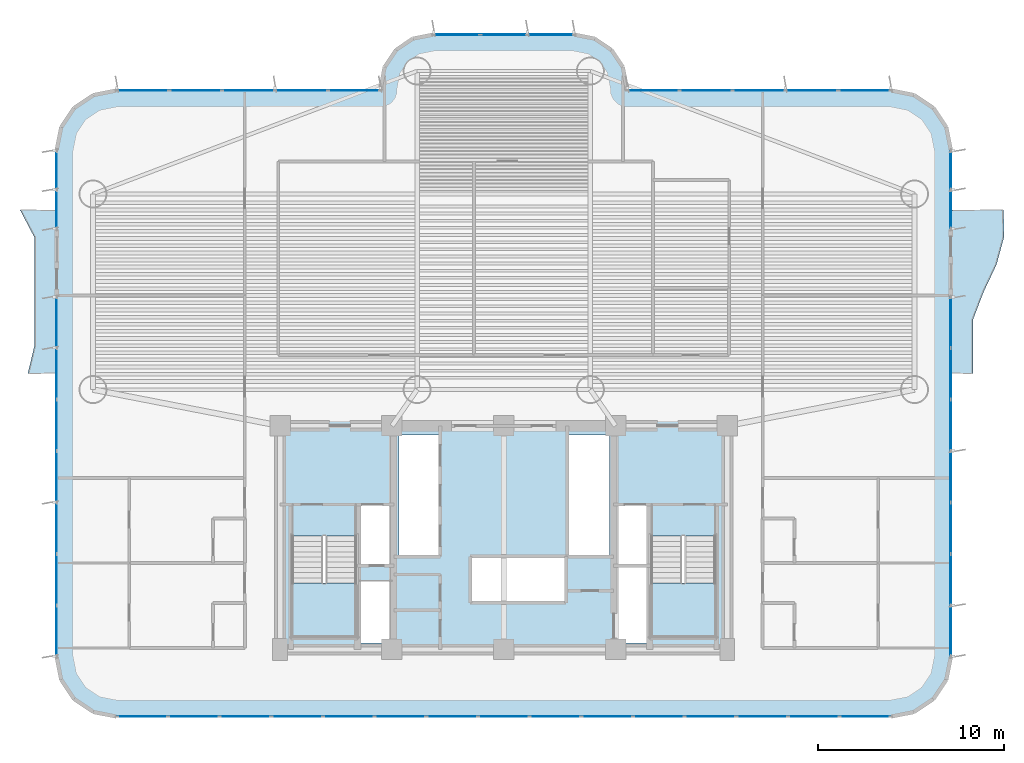
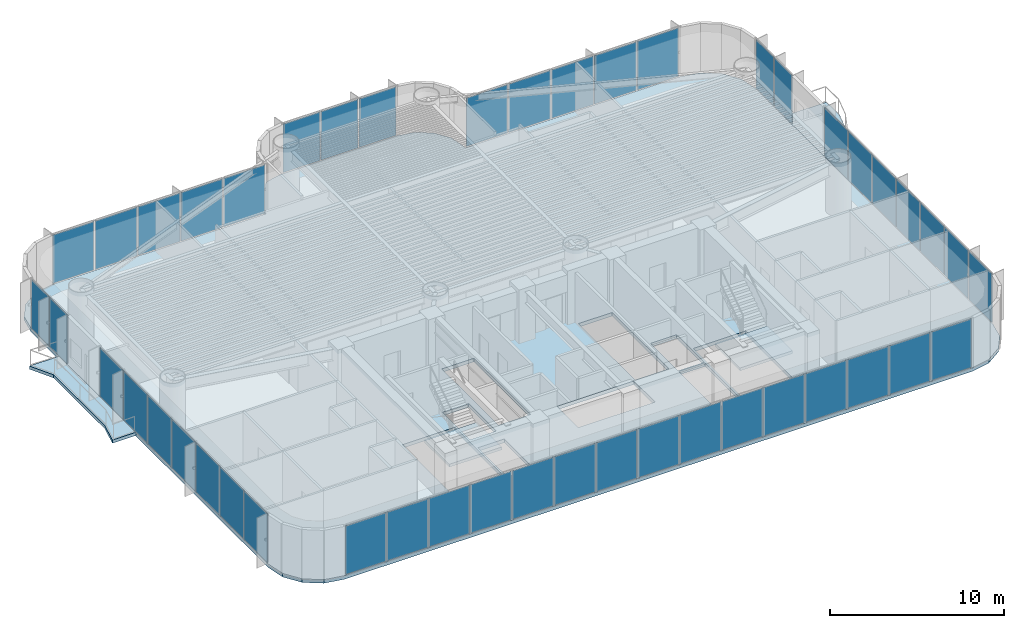
# One storey, part 9 of 17: 46 plates, 5 slabs, 10 elements without a shape of their own.
"""IFC4 building model written with IfcOpenShell, lengths in metres."""

from ifc_helpers import new_model, si_unit, direction, frame, origin, origin_2d, place, context, subcontext, project, spatial, polyline, rectangle, outline, extrude, source, transform, mapped, material, layer, layer_set, type_object, element, aggregate, save


model = new_model("IFC4")

# Units and contexts
model_context = context("Model", 3, precision=1e-05, world=origin(), true_north=direction((0.0, 1.0)))
body_context = subcontext(model_context, "Body", "Model", "MODEL_VIEW")
ifc_project = project(units=[si_unit("LENGTHUNIT", "METRE"), si_unit("AREAUNIT", "SQUARE_METRE"), si_unit("VOLUMEUNIT", "CUBIC_METRE"), si_unit("PLANEANGLEUNIT", "RADIAN"), si_unit("MASSUNIT", "GRAM", prefix="KILO")], contexts=[model_context])

# Site, building, storey
site_placement = place(None, origin())
site = spatial("IfcSite", under=ifc_project, at=site_placement, CompositionType="ELEMENT")
building_placement = place(site_placement, origin())
building = spatial("IfcBuilding", under=site, at=building_placement, Name="Brelvock Crest Care Tower", CompositionType="ELEMENT")
storey_placement = place(building_placement, frame((0.0, 0.0, 45.89990234375)))
storey = spatial("IfcBuildingStorey", under=building, at=storey_placement, Name="L11", CompositionType="ELEMENT", Elevation=45.89990234375)

# Slabs
ifc_material_1 = material(Name="Concrete N50 (50 MPa)", Category="concrete")
ifc_layer_1 = layer(ifc_material_1, 0.22998046875, Name="SLB-FL4")
ifc_layer_set_1 = layer_set([ifc_layer_1], Name="Concrete N50 (50 MPa)")
slab_type_1 = type_object("IfcSlabType", Name="SLB-FL4", PredefinedType="FLOOR", material=ifc_layer_set_1)
slab_1_placement = place(storey_placement, frame((0.0, 0.0, -0.25)))
element("IfcSlab", 1, at=slab_1_placement, inside=storey, type_object=slab_type_1, Name="L11 Main Structural Slab", PredefinedType="FLOOR", context=body_context, shape_type="SweptSolid", body=[
    extrude(outline(polyline([(56.800048828125, 36.0), (42.60009765625, 36.0), (42.60009765625, 36.199951171875), (42.386962890625, 37.271484375), (41.77978515625, 38.179931640625), (40.87158203125, 38.786865234375), (39.800048828125, 39.0), (32.199951171875, 39.0), (31.12841796875, 38.786865234375), (30.22021484375, 38.179931640625), (29.613037109375, 37.271484375), (29.39990234375, 36.199951171875), (29.39990234375, 36.0), (15.199951171875, 36.0), (13.975341796875, 35.75634765625), (12.937255859375, 35.062744140625), (12.24365234375, 34.024658203125), (12.0, 32.800048828125), (12.0, 5.60009765625), (12.24365234375, 4.37548828125), (12.937255859375, 3.33740234375), (13.975341796875, 2.6435546875), (15.199951171875, 2.39990234375), (56.800048828125, 2.39990234375), (58.024658203125, 2.6435546875), (59.062744140625, 3.33740234375), (59.75634765625, 4.37548828125), (60.0, 5.60009765625), (60.0, 32.800048828125), (59.75634765625, 34.024658203125), (59.062744140625, 35.062744140625), (58.024658203125, 35.75634765625), (56.800048828125, 36.0)]), holes=[polyline([(28.239990234375, 10.580078125), (29.97998046875, 10.580078125), (29.97998046875, 13.739990234375), (28.239990234375, 13.739990234375), (28.239990234375, 10.580078125)]), polyline([(42.02001953125, 10.580078125), (43.760009765625, 10.580078125), (43.760009765625, 13.739990234375), (42.02001953125, 13.739990234375), (42.02001953125, 10.580078125)]), polyline([(28.239990234375, 6.340087890625), (29.97998046875, 6.340087890625), (29.97998046875, 9.64990234375), (28.239990234375, 9.64990234375), (28.239990234375, 6.340087890625)]), polyline([(24.6298828125, 12.080078125), (24.6298828125, 6.699951171875), (28.110107421875, 6.699951171875), (28.110107421875, 12.080078125), (24.6298828125, 12.080078125)]), polyline([(43.889892578125, 12.080078125), (43.889892578125, 6.699951171875), (47.3701171875, 6.699951171875), (47.3701171875, 12.080078125), (43.889892578125, 12.080078125)]), polyline([(42.02001953125, 6.340087890625), (43.760009765625, 6.340087890625), (43.760009765625, 10.5), (42.02001953125, 10.5), (42.02001953125, 6.340087890625)]), polyline([(30.3798828125, 11.030029296875), (32.52001953125, 11.030029296875), (32.52001953125, 17.52001953125), (30.3798828125, 17.52001953125), (30.3798828125, 11.030029296875)]), polyline([(34.22998046875, 8.530029296875), (39.320068359375, 8.530029296875), (39.320068359375, 10.969970703125), (34.22998046875, 10.969970703125), (34.22998046875, 8.530029296875)]), polyline([(39.429931640625, 11.030029296875), (41.669921875, 11.030029296875), (41.669921875, 17.52001953125), (39.429931640625, 17.52001953125), (39.429931640625, 11.030029296875)])]), origin(), (0.0, 0.0, 1.0), 0.25),
])
ifc_layer_2 = layer(ifc_material_1, 0.219970703125, Name="SLB-WB1")
ifc_layer_set_2 = layer_set([ifc_layer_2], Name="Concrete N50 (50 MPa)")
slab_type_2 = type_object("IfcSlabType", Name="SLB-WB1", PredefinedType="FLOOR", material=ifc_layer_set_2)
slab_2_placement = place(storey_placement, frame((0.0, 0.0, -0.219970703125)))
element("IfcSlab", 2, at=slab_2_placement, inside=storey, type_object=slab_type_2, Name="L11 W Sinusoidal Wave Balcony Slab", PredefinedType="FLOOR", context=body_context, shape_type="SweptSolid", body=[
    extrude(outline(polyline([(12.0, 29.60009765625), (10.03271484375, 29.60009765625), (10.79931640625, 28.13330078125), (10.800048828125, 26.666748046875), (10.800048828125, 25.199951171875), (10.800048828125, 23.7333984375), (10.800048828125, 22.2666015625), (10.449951171875, 20.800048828125), (12.0, 20.800048828125), (12.0, 29.60009765625)])), origin(), (0.0, 0.0, 1.0), 0.219970703125),
])
slab_3_placement = place(storey_placement, frame((0.0, 0.0, -0.219970703125)))
element("IfcSlab", 3, at=slab_3_placement, inside=storey, type_object=slab_type_2, Name="L11 E Sinusoidal Wave Balcony Slab", PredefinedType="FLOOR", context=body_context, shape_type="SweptSolid", body=[
    extrude(outline(polyline([(60.0, 20.800048828125), (61.199951171875, 20.800048828125), (61.199951171875, 22.2666015625), (61.199951171875, 23.7333984375), (61.76123046875, 25.199951171875), (62.453369140625, 26.666748046875), (62.85400390625, 28.13330078125), (62.833984375, 29.60009765625), (60.0, 29.60009765625), (60.0, 20.800048828125)])), origin(), (0.0, 0.0, 1.0), 0.219970703125),
])

# Stair, slab
ifc_material_2 = material(Name="Concrete N40 (40 MPa)", Category="concrete")
stair_type = type_object("IfcStairType", Name="ST-CORE1", PredefinedType="HALF_TURN_STAIR", material=ifc_material_2)
stair_1_placement = place(storey_placement, origin())
stair_1 = element("IfcStair", 4, at=stair_1_placement, inside=storey, type_object=stair_type, Name="L11 Fire-Isolated Core Stair ST-1", PredefinedType="HALF_TURN_STAIR")
ifc_layer_3 = layer(ifc_material_2, 0.199951171875, Name="STL-1")
ifc_layer_set_3 = layer_set([ifc_layer_3], Name="Concrete N40 (40 MPa)")
slab_type_3 = type_object("IfcSlabType", Name="STL-1", PredefinedType="LANDING", material=ifc_layer_set_3)
slab_4_placement = place(storey_placement, frame((0.0, 0.0, 1.690185546875)))
slab_4 = element("IfcSlab", 5, at=slab_4_placement, type_object=slab_type_3, Name="ST-1 landing 1", PredefinedType="LANDING", context=body_context, shape_type="SweptSolid", body=[
    extrude(outline(polyline([(24.6298828125, 9.56005859375), (24.6298828125, 6.699951171875), (28.110107421875, 6.699951171875), (28.110107421875, 9.56005859375), (24.6298828125, 9.56005859375)])), origin(), (0.0, 0.0, 1.0), 0.199951171875),
])
aggregate(stair_1, [slab_4])

stair_2_placement = place(storey_placement, origin())
stair_2 = element("IfcStair", 6, at=stair_2_placement, inside=storey, type_object=stair_type, Name="L11 Fire-Isolated Core Stair ST-2", PredefinedType="HALF_TURN_STAIR")
slab_5_placement = place(storey_placement, frame((0.0, 0.0, 1.690185546875)))
slab_5 = element("IfcSlab", 7, at=slab_5_placement, type_object=slab_type_3, Name="ST-2 landing 1", PredefinedType="LANDING", context=body_context, shape_type="SweptSolid", body=[
    extrude(outline(polyline([(43.889892578125, 9.56005859375), (43.889892578125, 6.699951171875), (47.3701171875, 6.699951171875), (47.3701171875, 9.56005859375), (43.889892578125, 9.56005859375)])), origin(), (0.0, 0.0, 1.0), 0.199951171875),
])
aggregate(stair_2, [slab_5])

# Curtain wall, plates
ifc_material_3 = material(Name="Dark Glass Double Glazed Low-E", Category="glass")
ifc_layer_4 = layer(ifc_material_3, 0.195068359375, Name="CWS-2")
ifc_layer_set_4 = layer_set([ifc_layer_4], Name="Dark Glass Double Glazed Low-E")
curtain_wall_type = type_object("IfcCurtainWallType", Name="CWS-2", PredefinedType="NOTDEFINED", material=ifc_layer_set_4)
curtain_wall_1_placement = place(storey_placement, origin())
curtain_wall_1 = element("IfcCurtainWall", 8, at=curtain_wall_1_placement, inside=storey, type_object=curtain_wall_type, Name="L11 Curtain Wall E08", PredefinedType="NOTDEFINED")
ifc_layer_5 = layer(ifc_material_3, 0.031982421875, Name="CWP-V1")
ifc_layer_set_5 = layer_set([ifc_layer_5], Name="Dark Glass Double Glazed Low-E")
plate_type = type_object("IfcPlateType", Name="CWP-V1", PredefinedType="CURTAIN_PANEL", material=ifc_layer_set_5)
shared_shape_1 = source(origin(), body_context, "Body", "SweptSolid", [
    extrude(rectangle(XDim=2.67578125, YDim=0.035888671875, at=origin_2d()), origin(), (0.0, 0.0, 1.0), 3.39990234375),
])
plate_1_placement = place(storey_placement, frame((55.39697265625, 2.39990234375, 0.065185546875), z_axis=(0.0, 0.0, 1.0), x_axis=(-1.0, 0.0, 0.0)))
plate_1 = element("IfcPlate", 9, at=plate_1_placement, type_object=plate_type, Name="CW-2 panel 1.1", PredefinedType="CURTAIN_PANEL", context=body_context, shape_type="MappedRepresentation", body=[
    mapped(shared_shape_1, transform((0.0, 0.0, 0.0), x_axis=(1.0, 0.0, 0.0), y_axis=(0.0, 1.0, 0.0), z_axis=(0.0, 0.0, 1.0), scale=1.0)),
])
plate_2_placement = place(storey_placement, frame((16.60302734375, 2.39990234375, 0.065185546875), z_axis=(0.0, 0.0, 1.0), x_axis=(-1.0, 0.0, 0.0)))
plate_2 = element("IfcPlate", 10, at=plate_2_placement, type_object=plate_type, Name="CW-2 panel 15.1", PredefinedType="CURTAIN_PANEL", context=body_context, shape_type="MappedRepresentation", body=[
    mapped(shared_shape_1, transform((0.0, 0.0, 0.0), x_axis=(1.0, 0.0, 0.0), y_axis=(0.0, 1.0, 0.0), z_axis=(0.0, 0.0, 1.0), scale=1.0)),
])
shared_shape_2 = source(origin(), body_context, "Body", "SweptSolid", [
    extrude(rectangle(XDim=2.708251953125, YDim=0.035888671875, at=origin_2d()), origin(), (0.0, 0.0, 1.0), 3.39990234375),
])
plate_3_placement = place(storey_placement, frame((52.639892578125, 2.39990234375, 0.065185546875), z_axis=(0.0, 0.0, 1.0), x_axis=(-1.0, 0.0, 0.0)))
plate_3 = element("IfcPlate", 11, at=plate_3_placement, type_object=plate_type, Name="CW-2 panel 2.1", PredefinedType="CURTAIN_PANEL", context=body_context, shape_type="MappedRepresentation", body=[
    mapped(shared_shape_2, transform((0.0, 0.0, 0.0), x_axis=(1.0, 0.0, 0.0), y_axis=(0.0, 1.0, 0.0), z_axis=(0.0, 0.0, 1.0), scale=1.0)),
])
plate_4_placement = place(storey_placement, frame((49.86669921875, 2.39990234375, 0.065185546875), z_axis=(0.0, 0.0, 1.0), x_axis=(-1.0, 0.0, 0.0)))
plate_4 = element("IfcPlate", 12, at=plate_4_placement, type_object=plate_type, Name="CW-2 panel 3.1", PredefinedType="CURTAIN_PANEL", context=body_context, shape_type="MappedRepresentation", body=[
    mapped(shared_shape_2, transform((0.0, 0.0, 0.0), x_axis=(1.0, 0.0, 0.0), y_axis=(0.0, 1.0, 0.0), z_axis=(0.0, 0.0, 1.0), scale=1.0)),
])
plate_5_placement = place(storey_placement, frame((47.09326171875, 2.39990234375, 0.065185546875), z_axis=(0.0, 0.0, 1.0), x_axis=(-1.0, 0.0, 0.0)))
plate_5 = element("IfcPlate", 13, at=plate_5_placement, type_object=plate_type, Name="CW-2 panel 4.1", PredefinedType="CURTAIN_PANEL", context=body_context, shape_type="MappedRepresentation", body=[
    mapped(shared_shape_2, transform((0.0, 0.0, 0.0), x_axis=(1.0, 0.0, 0.0), y_axis=(0.0, 1.0, 0.0), z_axis=(0.0, 0.0, 1.0), scale=1.0)),
])
plate_6_placement = place(storey_placement, frame((44.320068359375, 2.39990234375, 0.065185546875), z_axis=(0.0, 0.0, 1.0), x_axis=(-1.0, 0.0, 0.0)))
plate_6 = element("IfcPlate", 14, at=plate_6_placement, type_object=plate_type, Name="CW-2 panel 5.1", PredefinedType="CURTAIN_PANEL", context=body_context, shape_type="MappedRepresentation", body=[
    mapped(shared_shape_2, transform((0.0, 0.0, 0.0), x_axis=(1.0, 0.0, 0.0), y_axis=(0.0, 1.0, 0.0), z_axis=(0.0, 0.0, 1.0), scale=1.0)),
])
plate_7_placement = place(storey_placement, frame((41.546630859375, 2.39990234375, 0.065185546875), z_axis=(0.0, 0.0, 1.0), x_axis=(-1.0, 0.0, 0.0)))
plate_7 = element("IfcPlate", 15, at=plate_7_placement, type_object=plate_type, Name="CW-2 panel 6.1", PredefinedType="CURTAIN_PANEL", context=body_context, shape_type="MappedRepresentation", body=[
    mapped(shared_shape_2, transform((0.0, 0.0, 0.0), x_axis=(1.0, 0.0, 0.0), y_axis=(0.0, 1.0, 0.0), z_axis=(0.0, 0.0, 1.0), scale=1.0)),
])
plate_8_placement = place(storey_placement, frame((38.7734375, 2.39990234375, 0.065185546875), z_axis=(0.0, 0.0, 1.0), x_axis=(-1.0, 0.0, 0.0)))
plate_8 = element("IfcPlate", 16, at=plate_8_placement, type_object=plate_type, Name="CW-2 panel 7.1", PredefinedType="CURTAIN_PANEL", context=body_context, shape_type="MappedRepresentation", body=[
    mapped(shared_shape_2, transform((0.0, 0.0, 0.0), x_axis=(1.0, 0.0, 0.0), y_axis=(0.0, 1.0, 0.0), z_axis=(0.0, 0.0, 1.0), scale=1.0)),
])
plate_9_placement = place(storey_placement, frame((36.0, 2.39990234375, 0.065185546875), z_axis=(0.0, 0.0, 1.0), x_axis=(-1.0, 0.0, 0.0)))
plate_9 = element("IfcPlate", 17, at=plate_9_placement, type_object=plate_type, Name="CW-2 panel 8.1", PredefinedType="CURTAIN_PANEL", context=body_context, shape_type="MappedRepresentation", body=[
    mapped(shared_shape_2, transform((0.0, 0.0, 0.0), x_axis=(1.0, 0.0, 0.0), y_axis=(0.0, 1.0, 0.0), z_axis=(0.0, 0.0, 1.0), scale=1.0)),
])
plate_10_placement = place(storey_placement, frame((33.2265625, 2.39990234375, 0.065185546875), z_axis=(0.0, 0.0, 1.0), x_axis=(-1.0, 0.0, 0.0)))
plate_10 = element("IfcPlate", 18, at=plate_10_placement, type_object=plate_type, Name="CW-2 panel 9.1", PredefinedType="CURTAIN_PANEL", context=body_context, shape_type="MappedRepresentation", body=[
    mapped(shared_shape_2, transform((0.0, 0.0, 0.0), x_axis=(1.0, 0.0, 0.0), y_axis=(0.0, 1.0, 0.0), z_axis=(0.0, 0.0, 1.0), scale=1.0)),
])
plate_11_placement = place(storey_placement, frame((30.453369140625, 2.39990234375, 0.065185546875), z_axis=(0.0, 0.0, 1.0), x_axis=(-1.0, 0.0, 0.0)))
plate_11 = element("IfcPlate", 19, at=plate_11_placement, type_object=plate_type, Name="CW-2 panel 10.1", PredefinedType="CURTAIN_PANEL", context=body_context, shape_type="MappedRepresentation", body=[
    mapped(shared_shape_2, transform((0.0, 0.0, 0.0), x_axis=(1.0, 0.0, 0.0), y_axis=(0.0, 1.0, 0.0), z_axis=(0.0, 0.0, 1.0), scale=1.0)),
])
plate_12_placement = place(storey_placement, frame((27.679931640625, 2.39990234375, 0.065185546875), z_axis=(0.0, 0.0, 1.0), x_axis=(-1.0, 0.0, 0.0)))
plate_12 = element("IfcPlate", 20, at=plate_12_placement, type_object=plate_type, Name="CW-2 panel 11.1", PredefinedType="CURTAIN_PANEL", context=body_context, shape_type="MappedRepresentation", body=[
    mapped(shared_shape_2, transform((0.0, 0.0, 0.0), x_axis=(1.0, 0.0, 0.0), y_axis=(0.0, 1.0, 0.0), z_axis=(0.0, 0.0, 1.0), scale=1.0)),
])
plate_13_placement = place(storey_placement, frame((24.90673828125, 2.39990234375, 0.065185546875), z_axis=(0.0, 0.0, 1.0), x_axis=(-1.0, 0.0, 0.0)))
plate_13 = element("IfcPlate", 21, at=plate_13_placement, type_object=plate_type, Name="CW-2 panel 12.1", PredefinedType="CURTAIN_PANEL", context=body_context, shape_type="MappedRepresentation", body=[
    mapped(shared_shape_2, transform((0.0, 0.0, 0.0), x_axis=(1.0, 0.0, 0.0), y_axis=(0.0, 1.0, 0.0), z_axis=(0.0, 0.0, 1.0), scale=1.0)),
])
plate_14_placement = place(storey_placement, frame((22.13330078125, 2.39990234375, 0.065185546875), z_axis=(0.0, 0.0, 1.0), x_axis=(-1.0, 0.0, 0.0)))
plate_14 = element("IfcPlate", 22, at=plate_14_placement, type_object=plate_type, Name="CW-2 panel 13.1", PredefinedType="CURTAIN_PANEL", context=body_context, shape_type="MappedRepresentation", body=[
    mapped(shared_shape_2, transform((0.0, 0.0, 0.0), x_axis=(1.0, 0.0, 0.0), y_axis=(0.0, 1.0, 0.0), z_axis=(0.0, 0.0, 1.0), scale=1.0)),
])
plate_15_placement = place(storey_placement, frame((19.360107421875, 2.39990234375, 0.065185546875), z_axis=(0.0, 0.0, 1.0), x_axis=(-1.0, 0.0, 0.0)))
plate_15 = element("IfcPlate", 23, at=plate_15_placement, type_object=plate_type, Name="CW-2 panel 14.1", PredefinedType="CURTAIN_PANEL", context=body_context, shape_type="MappedRepresentation", body=[
    mapped(shared_shape_2, transform((0.0, 0.0, 0.0), x_axis=(1.0, 0.0, 0.0), y_axis=(0.0, 1.0, 0.0), z_axis=(0.0, 0.0, 1.0), scale=1.0)),
])
aggregate(curtain_wall_1, [plate_1, plate_3, plate_4, plate_5, plate_6, plate_7, plate_8, plate_9, plate_10, plate_11, plate_12, plate_13, plate_14, plate_15, plate_2])

curtain_wall_2_placement = place(storey_placement, origin())
curtain_wall_2 = element("IfcCurtainWall", 24, at=curtain_wall_2_placement, inside=storey, type_object=curtain_wall_type, Name="L11 Curtain Wall E18", PredefinedType="NOTDEFINED")
shared_shape_3 = source(origin(), body_context, "Body", "SweptSolid", [
    extrude(rectangle(XDim=2.742431640625, YDim=0.035888671875, at=origin_2d()), origin(), (0.0, 0.0, 1.0), 3.39990234375),
])
plate_16_placement = place(storey_placement, frame((16.63623046875, 36.0, 0.065185546875), z_axis=(0.0, 0.0, 1.0), x_axis=(1.0, 0.0, 0.0)))
plate_16 = element("IfcPlate", 25, at=plate_16_placement, type_object=plate_type, Name="CW-2 panel 1.1", PredefinedType="CURTAIN_PANEL", context=body_context, shape_type="MappedRepresentation", body=[
    mapped(shared_shape_3, transform((0.0, 0.0, 0.0), x_axis=(1.0, 0.0, 0.0), y_axis=(0.0, 1.0, 0.0), z_axis=(0.0, 0.0, 1.0), scale=1.0)),
])
plate_17_placement = place(storey_placement, frame((27.9638671875, 36.0, 0.065185546875), z_axis=(0.0, 0.0, 1.0), x_axis=(1.0, 0.0, 0.0)))
plate_17 = element("IfcPlate", 26, at=plate_17_placement, type_object=plate_type, Name="CW-2 panel 5.1", PredefinedType="CURTAIN_PANEL", context=body_context, shape_type="MappedRepresentation", body=[
    mapped(shared_shape_3, transform((0.0, 0.0, 0.0), x_axis=(1.0, 0.0, 0.0), y_axis=(0.0, 1.0, 0.0), z_axis=(0.0, 0.0, 1.0), scale=1.0)),
])

curtain_wall_3_placement = place(storey_placement, origin())
curtain_wall_3 = element("IfcCurtainWall", 27, at=curtain_wall_3_placement, inside=storey, type_object=curtain_wall_type, Name="L11 Curtain Wall E30", PredefinedType="NOTDEFINED")
plate_18_placement = place(storey_placement, frame((44.0361328125, 36.0, 0.065185546875), z_axis=(0.0, 0.0, 1.0), x_axis=(1.0, 0.0, 0.0)))
plate_18 = element("IfcPlate", 28, at=plate_18_placement, type_object=plate_type, Name="CW-2 panel 1.1", PredefinedType="CURTAIN_PANEL", context=body_context, shape_type="MappedRepresentation", body=[
    mapped(shared_shape_3, transform((0.0, 0.0, 0.0), x_axis=(1.0, 0.0, 0.0), y_axis=(0.0, 1.0, 0.0), z_axis=(0.0, 0.0, 1.0), scale=1.0)),
])
plate_19_placement = place(storey_placement, frame((55.36376953125, 36.0, 0.065185546875), z_axis=(0.0, 0.0, 1.0), x_axis=(1.0, 0.0, 0.0)))
plate_19 = element("IfcPlate", 29, at=plate_19_placement, type_object=plate_type, Name="CW-2 panel 5.1", PredefinedType="CURTAIN_PANEL", context=body_context, shape_type="MappedRepresentation", body=[
    mapped(shared_shape_3, transform((0.0, 0.0, 0.0), x_axis=(1.0, 0.0, 0.0), y_axis=(0.0, 1.0, 0.0), z_axis=(0.0, 0.0, 1.0), scale=1.0)),
])

# Plate
shared_shape_4 = source(origin(), body_context, "Body", "SweptSolid", [
    extrude(rectangle(XDim=2.77490234375, YDim=0.035888671875, at=origin_2d()), origin(), (0.0, 0.0, 1.0), 3.39990234375),
])
plate_20_placement = place(storey_placement, frame((19.4599609375, 36.0, 0.065185546875), z_axis=(0.0, 0.0, 1.0), x_axis=(1.0, 0.0, 0.0)))
plate_20 = element("IfcPlate", 30, at=plate_20_placement, type_object=plate_type, Name="CW-2 panel 2.1", PredefinedType="CURTAIN_PANEL", context=body_context, shape_type="MappedRepresentation", body=[
    mapped(shared_shape_4, transform((0.0, 0.0, 0.0), x_axis=(1.0, 0.0, 0.0), y_axis=(0.0, 1.0, 0.0), z_axis=(0.0, 0.0, 1.0), scale=1.0)),
])

plate_21_placement = place(storey_placement, frame((22.300048828125, 36.0, 0.065185546875), z_axis=(0.0, 0.0, 1.0), x_axis=(1.0, 0.0, 0.0)))
plate_21 = element("IfcPlate", 31, at=plate_21_placement, type_object=plate_type, Name="CW-2 panel 3.1", PredefinedType="CURTAIN_PANEL", context=body_context, shape_type="MappedRepresentation", body=[
    mapped(shared_shape_4, transform((0.0, 0.0, 0.0), x_axis=(1.0, 0.0, 0.0), y_axis=(0.0, 1.0, 0.0), z_axis=(0.0, 0.0, 1.0), scale=1.0)),
])

plate_22_placement = place(storey_placement, frame((25.139892578125, 36.0, 0.065185546875), z_axis=(0.0, 0.0, 1.0), x_axis=(1.0, 0.0, 0.0)))
plate_22 = element("IfcPlate", 32, at=plate_22_placement, type_object=plate_type, Name="CW-2 panel 4.1", PredefinedType="CURTAIN_PANEL", context=body_context, shape_type="MappedRepresentation", body=[
    mapped(shared_shape_4, transform((0.0, 0.0, 0.0), x_axis=(1.0, 0.0, 0.0), y_axis=(0.0, 1.0, 0.0), z_axis=(0.0, 0.0, 1.0), scale=1.0)),
])

aggregate(curtain_wall_2, [plate_16, plate_20, plate_21, plate_22, plate_17])

plate_23_placement = place(storey_placement, frame((46.860107421875, 36.0, 0.065185546875), z_axis=(0.0, 0.0, 1.0), x_axis=(1.0, 0.0, 0.0)))
plate_23 = element("IfcPlate", 33, at=plate_23_placement, type_object=plate_type, Name="CW-2 panel 2.1", PredefinedType="CURTAIN_PANEL", context=body_context, shape_type="MappedRepresentation", body=[
    mapped(shared_shape_4, transform((0.0, 0.0, 0.0), x_axis=(1.0, 0.0, 0.0), y_axis=(0.0, 1.0, 0.0), z_axis=(0.0, 0.0, 1.0), scale=1.0)),
])

plate_24_placement = place(storey_placement, frame((49.699951171875, 36.0, 0.065185546875), z_axis=(0.0, 0.0, 1.0), x_axis=(1.0, 0.0, 0.0)))
plate_24 = element("IfcPlate", 34, at=plate_24_placement, type_object=plate_type, Name="CW-2 panel 3.1", PredefinedType="CURTAIN_PANEL", context=body_context, shape_type="MappedRepresentation", body=[
    mapped(shared_shape_4, transform((0.0, 0.0, 0.0), x_axis=(1.0, 0.0, 0.0), y_axis=(0.0, 1.0, 0.0), z_axis=(0.0, 0.0, 1.0), scale=1.0)),
])

plate_25_placement = place(storey_placement, frame((52.5400390625, 36.0, 0.065185546875), z_axis=(0.0, 0.0, 1.0), x_axis=(1.0, 0.0, 0.0)))
plate_25 = element("IfcPlate", 35, at=plate_25_placement, type_object=plate_type, Name="CW-2 panel 4.1", PredefinedType="CURTAIN_PANEL", context=body_context, shape_type="MappedRepresentation", body=[
    mapped(shared_shape_4, transform((0.0, 0.0, 0.0), x_axis=(1.0, 0.0, 0.0), y_axis=(0.0, 1.0, 0.0), z_axis=(0.0, 0.0, 1.0), scale=1.0)),
])

aggregate(curtain_wall_3, [plate_18, plate_23, plate_24, plate_25, plate_19])

# Curtain wall, plates
curtain_wall_4_placement = place(storey_placement, origin())
curtain_wall_4 = element("IfcCurtainWall", 36, at=curtain_wall_4_placement, inside=storey, type_object=curtain_wall_type, Name="L11 Curtain Wall E24", PredefinedType="NOTDEFINED")
shared_shape_5 = source(origin(), body_context, "Body", "SweptSolid", [
    extrude(rectangle(XDim=2.435791015625, YDim=0.035888671875, at=origin_2d()), origin(), (0.0, 0.0, 1.0), 3.39990234375),
])
plate_26_placement = place(storey_placement, frame((33.48291015625, 39.0, 0.065185546875), z_axis=(0.0, 0.0, 1.0), x_axis=(1.0, 0.0, 0.0)))
plate_26 = element("IfcPlate", 37, at=plate_26_placement, type_object=plate_type, Name="CW-2 panel 1.1", PredefinedType="CURTAIN_PANEL", context=body_context, shape_type="MappedRepresentation", body=[
    mapped(shared_shape_5, transform((0.0, 0.0, 0.0), x_axis=(1.0, 0.0, 0.0), y_axis=(0.0, 1.0, 0.0), z_axis=(0.0, 0.0, 1.0), scale=1.0)),
])
plate_27_placement = place(storey_placement, frame((38.51708984375, 39.0, 0.065185546875), z_axis=(0.0, 0.0, 1.0), x_axis=(1.0, 0.0, 0.0)))
plate_27 = element("IfcPlate", 38, at=plate_27_placement, type_object=plate_type, Name="CW-2 panel 3.1", PredefinedType="CURTAIN_PANEL", context=body_context, shape_type="MappedRepresentation", body=[
    mapped(shared_shape_5, transform((0.0, 0.0, 0.0), x_axis=(1.0, 0.0, 0.0), y_axis=(0.0, 1.0, 0.0), z_axis=(0.0, 0.0, 1.0), scale=1.0)),
])
shared_shape_6 = source(origin(), body_context, "Body", "SweptSolid", [
    extrude(rectangle(XDim=2.46826171875, YDim=0.035888671875, at=origin_2d()), origin(), (0.0, 0.0, 1.0), 3.39990234375),
])
plate_28_placement = place(storey_placement, frame((36.0, 39.0, 0.065185546875), z_axis=(0.0, 0.0, 1.0), x_axis=(1.0, 0.0, 0.0)))
plate_28 = element("IfcPlate", 39, at=plate_28_placement, type_object=plate_type, Name="CW-2 panel 2.1", PredefinedType="CURTAIN_PANEL", context=body_context, shape_type="MappedRepresentation", body=[
    mapped(shared_shape_6, transform((0.0, 0.0, 0.0), x_axis=(1.0, 0.0, 0.0), y_axis=(0.0, 1.0, 0.0), z_axis=(0.0, 0.0, 1.0), scale=1.0)),
])
aggregate(curtain_wall_4, [plate_26, plate_28, plate_27])

curtain_wall_5_placement = place(storey_placement, origin())
curtain_wall_5 = element("IfcCurtainWall", 40, at=curtain_wall_5_placement, inside=storey, type_object=curtain_wall_type, Name="L11 Curtain Wall E03A", PredefinedType="NOTDEFINED")
shared_shape_7 = source(origin(), body_context, "Body", "SweptSolid", [
    extrude(rectangle(XDim=2.027587890625, YDim=0.035888671875, at=origin_2d()), origin(), (0.0, 0.0, 1.0), 3.39990234375),
])
plate_29_placement = place(storey_placement, frame((60.0, 31.72119140625, 0.065185546875), z_axis=(0.0, 0.0, 1.0), x_axis=(0.0, -1.0, 0.0)))
plate_29 = element("IfcPlate", 41, at=plate_29_placement, type_object=plate_type, Name="CW-2 panel 1.1", PredefinedType="CURTAIN_PANEL", context=body_context, shape_type="MappedRepresentation", body=[
    mapped(shared_shape_7, transform((0.0, 0.0, 0.0), x_axis=(1.0, 0.0, 0.0), y_axis=(0.0, 1.0, 0.0), z_axis=(0.0, 0.0, 1.0), scale=1.0)),
])
plate_30_placement = place(storey_placement, frame((60.0, 29.628662109375, 0.065185546875), z_axis=(0.0, 0.0, 1.0), x_axis=(0.0, -1.0, 0.0)))
plate_30 = element("IfcPlate", 42, at=plate_30_placement, type_object=plate_type, Name="CW-2 panel 2.1", PredefinedType="CURTAIN_PANEL", context=body_context, shape_type="MappedRepresentation", body=[
    mapped(shared_shape_7, transform((0.0, 0.0, 0.0), x_axis=(1.0, 0.0, 0.0), y_axis=(0.0, 1.0, 0.0), z_axis=(0.0, 0.0, 1.0), scale=1.0)),
])
aggregate(curtain_wall_5, [plate_29, plate_30])

curtain_wall_6_placement = place(storey_placement, origin())
curtain_wall_6 = element("IfcCurtainWall", 43, at=curtain_wall_6_placement, inside=storey, type_object=curtain_wall_type, Name="L11 Curtain Wall E13B", PredefinedType="NOTDEFINED")
plate_31_placement = place(storey_placement, frame((12.0, 29.628662109375, 0.065185546875), z_axis=(0.0, 0.0, 1.0), x_axis=(0.0, 1.0, 0.0)))
plate_31 = element("IfcPlate", 44, at=plate_31_placement, type_object=plate_type, Name="CW-2 panel 1.1", PredefinedType="CURTAIN_PANEL", context=body_context, shape_type="MappedRepresentation", body=[
    mapped(shared_shape_7, transform((0.0, 0.0, 0.0), x_axis=(1.0, 0.0, 0.0), y_axis=(0.0, 1.0, 0.0), z_axis=(0.0, 0.0, 1.0), scale=1.0)),
])
plate_32_placement = place(storey_placement, frame((12.0, 31.72119140625, 0.065185546875), z_axis=(0.0, 0.0, 1.0), x_axis=(0.0, 1.0, 0.0)))
plate_32 = element("IfcPlate", 45, at=plate_32_placement, type_object=plate_type, Name="CW-2 panel 2.1", PredefinedType="CURTAIN_PANEL", context=body_context, shape_type="MappedRepresentation", body=[
    mapped(shared_shape_7, transform((0.0, 0.0, 0.0), x_axis=(1.0, 0.0, 0.0), y_axis=(0.0, 1.0, 0.0), z_axis=(0.0, 0.0, 1.0), scale=1.0)),
])
aggregate(curtain_wall_6, [plate_31, plate_32])

curtain_wall_7_placement = place(storey_placement, origin())
curtain_wall_7 = element("IfcCurtainWall", 46, at=curtain_wall_7_placement, inside=storey, type_object=curtain_wall_type, Name="L11 Curtain Wall E03B", PredefinedType="NOTDEFINED")
shared_shape_8 = source(origin(), body_context, "Body", "SweptSolid", [
    extrude(rectangle(XDim=2.666748046875, YDim=0.035888671875, at=origin_2d()), origin(), (0.0, 0.0, 1.0), 3.39990234375),
])
plate_33_placement = place(storey_placement, frame((60.0, 23.551513671875, 0.065185546875), z_axis=(0.0, 0.0, 1.0), x_axis=(0.0, -1.0, 0.0)))
plate_33 = element("IfcPlate", 47, at=plate_33_placement, type_object=plate_type, Name="CW-2 panel 1.1", PredefinedType="CURTAIN_PANEL", context=body_context, shape_type="MappedRepresentation", body=[
    mapped(shared_shape_8, transform((0.0, 0.0, 0.0), x_axis=(1.0, 0.0, 0.0), y_axis=(0.0, 1.0, 0.0), z_axis=(0.0, 0.0, 1.0), scale=1.0)),
])
plate_34_placement = place(storey_placement, frame((60.0, 6.998291015625, 0.065185546875), z_axis=(0.0, 0.0, 1.0), x_axis=(0.0, -1.0, 0.0)))
plate_34 = element("IfcPlate", 48, at=plate_34_placement, type_object=plate_type, Name="CW-2 panel 7.1", PredefinedType="CURTAIN_PANEL", context=body_context, shape_type="MappedRepresentation", body=[
    mapped(shared_shape_8, transform((0.0, 0.0, 0.0), x_axis=(1.0, 0.0, 0.0), y_axis=(0.0, 1.0, 0.0), z_axis=(0.0, 0.0, 1.0), scale=1.0)),
])

curtain_wall_8_placement = place(storey_placement, origin())
curtain_wall_8 = element("IfcCurtainWall", 49, at=curtain_wall_8_placement, inside=storey, type_object=curtain_wall_type, Name="L11 Curtain Wall E13A", PredefinedType="NOTDEFINED")
plate_35_placement = place(storey_placement, frame((12.0, 6.998291015625, 0.065185546875), z_axis=(0.0, 0.0, 1.0), x_axis=(0.0, 1.0, 0.0)))
plate_35 = element("IfcPlate", 50, at=plate_35_placement, type_object=plate_type, Name="CW-2 panel 1.1", PredefinedType="CURTAIN_PANEL", context=body_context, shape_type="MappedRepresentation", body=[
    mapped(shared_shape_8, transform((0.0, 0.0, 0.0), x_axis=(1.0, 0.0, 0.0), y_axis=(0.0, 1.0, 0.0), z_axis=(0.0, 0.0, 1.0), scale=1.0)),
])
plate_36_placement = place(storey_placement, frame((12.0, 23.551513671875, 0.065185546875), z_axis=(0.0, 0.0, 1.0), x_axis=(0.0, 1.0, 0.0)))
plate_36 = element("IfcPlate", 51, at=plate_36_placement, type_object=plate_type, Name="CW-2 panel 7.1", PredefinedType="CURTAIN_PANEL", context=body_context, shape_type="MappedRepresentation", body=[
    mapped(shared_shape_8, transform((0.0, 0.0, 0.0), x_axis=(1.0, 0.0, 0.0), y_axis=(0.0, 1.0, 0.0), z_axis=(0.0, 0.0, 1.0), scale=1.0)),
])

# Plate
shared_shape_9 = source(origin(), body_context, "Body", "SweptSolid", [
    extrude(rectangle(XDim=2.69921875, YDim=0.035888671875, at=origin_2d()), origin(), (0.0, 0.0, 1.0), 3.39990234375),
])
plate_37_placement = place(storey_placement, frame((60.0, 20.803466796875, 0.065185546875), z_axis=(0.0, 0.0, 1.0), x_axis=(0.0, -1.0, 0.0)))
plate_37 = element("IfcPlate", 52, at=plate_37_placement, type_object=plate_type, Name="CW-2 panel 2.1", PredefinedType="CURTAIN_PANEL", context=body_context, shape_type="MappedRepresentation", body=[
    mapped(shared_shape_9, transform((0.0, 0.0, 0.0), x_axis=(1.0, 0.0, 0.0), y_axis=(0.0, 1.0, 0.0), z_axis=(0.0, 0.0, 1.0), scale=1.0)),
])

plate_38_placement = place(storey_placement, frame((60.0, 18.039306640625, 0.065185546875), z_axis=(0.0, 0.0, 1.0), x_axis=(0.0, -1.0, 0.0)))
plate_38 = element("IfcPlate", 53, at=plate_38_placement, type_object=plate_type, Name="CW-2 panel 3.1", PredefinedType="CURTAIN_PANEL", context=body_context, shape_type="MappedRepresentation", body=[
    mapped(shared_shape_9, transform((0.0, 0.0, 0.0), x_axis=(1.0, 0.0, 0.0), y_axis=(0.0, 1.0, 0.0), z_axis=(0.0, 0.0, 1.0), scale=1.0)),
])

plate_39_placement = place(storey_placement, frame((60.0, 15.27490234375, 0.065185546875), z_axis=(0.0, 0.0, 1.0), x_axis=(0.0, -1.0, 0.0)))
plate_39 = element("IfcPlate", 54, at=plate_39_placement, type_object=plate_type, Name="CW-2 panel 4.1", PredefinedType="CURTAIN_PANEL", context=body_context, shape_type="MappedRepresentation", body=[
    mapped(shared_shape_9, transform((0.0, 0.0, 0.0), x_axis=(1.0, 0.0, 0.0), y_axis=(0.0, 1.0, 0.0), z_axis=(0.0, 0.0, 1.0), scale=1.0)),
])

plate_40_placement = place(storey_placement, frame((60.0, 12.5107421875, 0.065185546875), z_axis=(0.0, 0.0, 1.0), x_axis=(0.0, -1.0, 0.0)))
plate_40 = element("IfcPlate", 55, at=plate_40_placement, type_object=plate_type, Name="CW-2 panel 5.1", PredefinedType="CURTAIN_PANEL", context=body_context, shape_type="MappedRepresentation", body=[
    mapped(shared_shape_9, transform((0.0, 0.0, 0.0), x_axis=(1.0, 0.0, 0.0), y_axis=(0.0, 1.0, 0.0), z_axis=(0.0, 0.0, 1.0), scale=1.0)),
])

plate_41_placement = place(storey_placement, frame((60.0, 9.746337890625, 0.065185546875), z_axis=(0.0, 0.0, 1.0), x_axis=(0.0, -1.0, 0.0)))
plate_41 = element("IfcPlate", 56, at=plate_41_placement, type_object=plate_type, Name="CW-2 panel 6.1", PredefinedType="CURTAIN_PANEL", context=body_context, shape_type="MappedRepresentation", body=[
    mapped(shared_shape_9, transform((0.0, 0.0, 0.0), x_axis=(1.0, 0.0, 0.0), y_axis=(0.0, 1.0, 0.0), z_axis=(0.0, 0.0, 1.0), scale=1.0)),
])

aggregate(curtain_wall_7, [plate_33, plate_37, plate_38, plate_39, plate_40, plate_41, plate_34])

plate_42_placement = place(storey_placement, frame((12.0, 9.746337890625, 0.065185546875), z_axis=(0.0, 0.0, 1.0), x_axis=(0.0, 1.0, 0.0)))
plate_42 = element("IfcPlate", 57, at=plate_42_placement, type_object=plate_type, Name="CW-2 panel 2.1", PredefinedType="CURTAIN_PANEL", context=body_context, shape_type="MappedRepresentation", body=[
    mapped(shared_shape_9, transform((0.0, 0.0, 0.0), x_axis=(1.0, 0.0, 0.0), y_axis=(0.0, 1.0, 0.0), z_axis=(0.0, 0.0, 1.0), scale=1.0)),
])

plate_43_placement = place(storey_placement, frame((12.0, 12.5107421875, 0.065185546875), z_axis=(0.0, 0.0, 1.0), x_axis=(0.0, 1.0, 0.0)))
plate_43 = element("IfcPlate", 58, at=plate_43_placement, type_object=plate_type, Name="CW-2 panel 3.1", PredefinedType="CURTAIN_PANEL", context=body_context, shape_type="MappedRepresentation", body=[
    mapped(shared_shape_9, transform((0.0, 0.0, 0.0), x_axis=(1.0, 0.0, 0.0), y_axis=(0.0, 1.0, 0.0), z_axis=(0.0, 0.0, 1.0), scale=1.0)),
])

plate_44_placement = place(storey_placement, frame((12.0, 15.27490234375, 0.065185546875), z_axis=(0.0, 0.0, 1.0), x_axis=(0.0, 1.0, 0.0)))
plate_44 = element("IfcPlate", 59, at=plate_44_placement, type_object=plate_type, Name="CW-2 panel 4.1", PredefinedType="CURTAIN_PANEL", context=body_context, shape_type="MappedRepresentation", body=[
    mapped(shared_shape_9, transform((0.0, 0.0, 0.0), x_axis=(1.0, 0.0, 0.0), y_axis=(0.0, 1.0, 0.0), z_axis=(0.0, 0.0, 1.0), scale=1.0)),
])

plate_45_placement = place(storey_placement, frame((12.0, 18.039306640625, 0.065185546875), z_axis=(0.0, 0.0, 1.0), x_axis=(0.0, 1.0, 0.0)))
plate_45 = element("IfcPlate", 60, at=plate_45_placement, type_object=plate_type, Name="CW-2 panel 5.1", PredefinedType="CURTAIN_PANEL", context=body_context, shape_type="MappedRepresentation", body=[
    mapped(shared_shape_9, transform((0.0, 0.0, 0.0), x_axis=(1.0, 0.0, 0.0), y_axis=(0.0, 1.0, 0.0), z_axis=(0.0, 0.0, 1.0), scale=1.0)),
])

plate_46_placement = place(storey_placement, frame((12.0, 20.803466796875, 0.065185546875), z_axis=(0.0, 0.0, 1.0), x_axis=(0.0, 1.0, 0.0)))
plate_46 = element("IfcPlate", 61, at=plate_46_placement, type_object=plate_type, Name="CW-2 panel 6.1", PredefinedType="CURTAIN_PANEL", context=body_context, shape_type="MappedRepresentation", body=[
    mapped(shared_shape_9, transform((0.0, 0.0, 0.0), x_axis=(1.0, 0.0, 0.0), y_axis=(0.0, 1.0, 0.0), z_axis=(0.0, 0.0, 1.0), scale=1.0)),
])

aggregate(curtain_wall_8, [plate_35, plate_42, plate_43, plate_44, plate_45, plate_46, plate_36])

save(model, "model.ifc")
